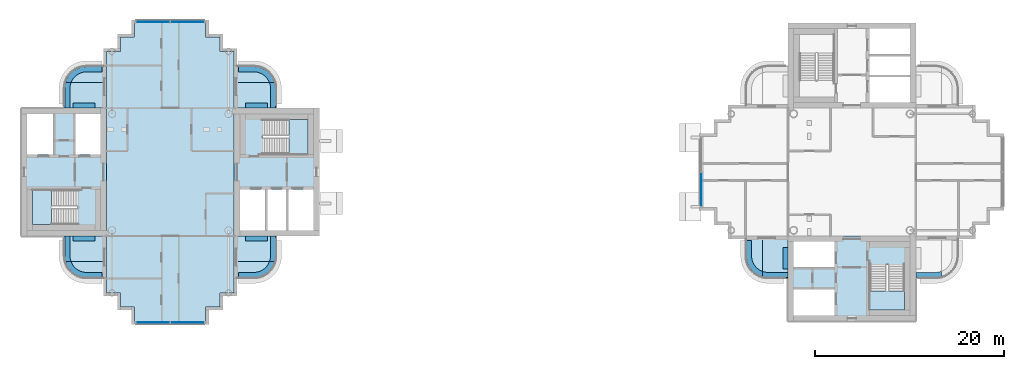
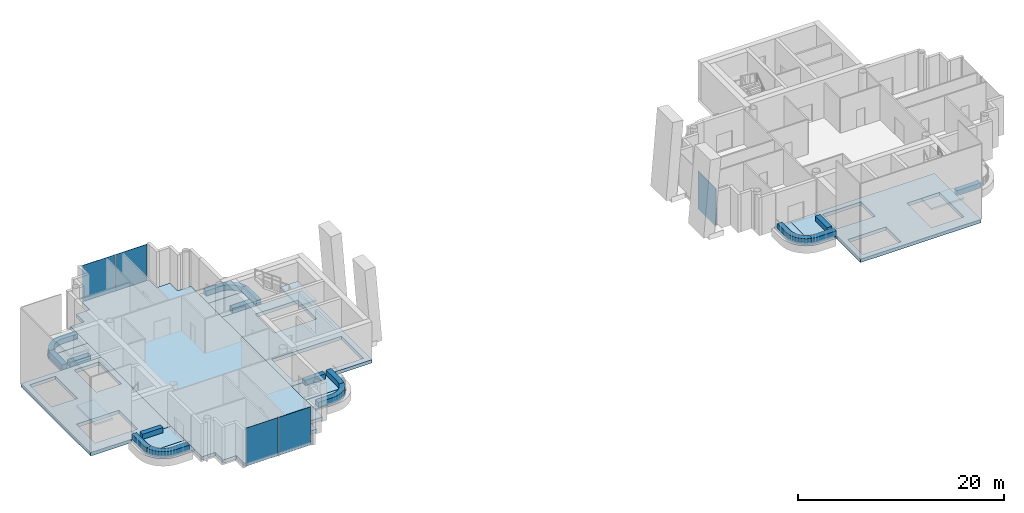
# One storey, part 5 of 19: 33 slabs, 5 plates, 6 elements without a shape of their own.
"""IFC4 building model written with IfcOpenShell, lengths in metres."""

from ifc_helpers import new_model, si_unit, direction, frame, origin, origin_2d, place, context, subcontext, project, spatial, polyline, rectangle, outline, extrude, material, layer, layer_set, type_object, element, aggregate, save


model = new_model("IFC4")

# Units and contexts
model_context = context("Model", 3, precision=1e-05, world=origin(), true_north=direction((0.0, 1.0)))
body_context = subcontext(model_context, "Body", "Model", "MODEL_VIEW")
ifc_project = project(units=[si_unit("LENGTHUNIT", "METRE"), si_unit("AREAUNIT", "SQUARE_METRE"), si_unit("VOLUMEUNIT", "CUBIC_METRE"), si_unit("PLANEANGLEUNIT", "RADIAN"), si_unit("MASSUNIT", "GRAM", prefix="KILO")], contexts=[model_context])

# Site, building, storey
site_placement = place(None, origin())
site = spatial("IfcSite", under=ifc_project, at=site_placement, CompositionType="ELEMENT")
building_placement = place(site_placement, origin())
building = spatial("IfcBuilding", under=site, at=building_placement, Name="Ipe Terrace Towers", CompositionType="ELEMENT")
storey_placement = place(building_placement, frame((0.0, 0.0, 237.89990234375)))
storey = spatial("IfcBuildingStorey", under=building, at=storey_placement, Name="L66", CompositionType="ELEMENT", Elevation=237.89990234375)

# Slabs
ifc_material_1 = material(Name="Concrete C30/37", Category="concrete")
ifc_layer_1 = layer(ifc_material_1, 0.199951171875)
ifc_layer_set_1 = layer_set([ifc_layer_1], Name="BALCONY SLAB 200")
slab_type_1 = type_object("IfcSlabType", Name="BALCONY SLAB 200", PredefinedType="FLOOR", material=ifc_layer_set_1)
slab_1_placement = place(storey_placement, frame((0.0, 0.0, -0.219970703125)))
element("IfcSlab", 1, at=slab_1_placement, inside=storey, type_object=slab_type_1, Name="balcony slab", PredefinedType="FLOOR", context=body_context, shape_type="SweptSolid", body=[
    extrude(outline(polyline([(-47.22900390625, -9.1630859375), (-47.172119140625, -9.449951171875), (-42.75, -9.449951171875), (-42.75, -6.75), (-47.25, -6.75), (-47.25, -8.85009765625), (-47.22900390625, -9.1630859375)])), origin(), (0.0, 0.0, 1.0), 0.199951171875),
])
slab_2_placement = place(storey_placement, frame((0.0, 0.0, -0.219970703125)))
element("IfcSlab", 2, at=slab_2_placement, inside=storey, type_object=slab_type_1, Name="balcony slab", PredefinedType="FLOOR", context=body_context, shape_type="SweptSolid", body=[
    extrude(outline(polyline([(-42.75, -11.25), (-42.75, -9.449951171875), (-47.172119140625, -9.449951171875), (-47.16796875, -9.470947265625), (-47.06689453125, -9.76806640625), (-46.927978515625, -10.050048828125), (-46.75390625, -10.31103515625), (-46.547119140625, -10.547119140625), (-46.31103515625, -10.75390625), (-46.050048828125, -10.927978515625), (-45.76806640625, -11.06689453125), (-45.470947265625, -11.16796875), (-45.1630859375, -11.22900390625), (-44.85009765625, -11.25), (-42.75, -11.25)])), origin(), (0.0, 0.0, 1.0), 0.199951171875),
])
slab_3_placement = place(storey_placement, frame((0.0, 0.0, -0.219970703125)))
element("IfcSlab", 3, at=slab_3_placement, inside=storey, type_object=slab_type_1, Name="balcony slab", PredefinedType="FLOOR", context=body_context, shape_type="SweptSolid", body=[
    extrude(outline(polyline([(-47.22900390625, 9.1630859375), (-47.25, 8.85009765625), (-47.25, 6.75), (-42.75, 6.75), (-42.75, 9.449951171875), (-47.172119140625, 9.449951171875), (-47.22900390625, 9.1630859375)])), origin(), (0.0, 0.0, 1.0), 0.199951171875),
])
slab_4_placement = place(storey_placement, frame((0.0, 0.0, -0.219970703125)))
element("IfcSlab", 4, at=slab_4_placement, inside=storey, type_object=slab_type_1, Name="balcony slab", PredefinedType="FLOOR", context=body_context, shape_type="SweptSolid", body=[
    extrude(outline(polyline([(-42.75, 11.25), (-44.85009765625, 11.25), (-45.1630859375, 11.22900390625), (-45.470947265625, 11.16796875), (-45.76806640625, 11.06689453125), (-46.050048828125, 10.927978515625), (-46.31103515625, 10.75390625), (-46.547119140625, 10.547119140625), (-46.75390625, 10.31103515625), (-46.927978515625, 10.050048828125), (-47.06689453125, 9.76806640625), (-47.16796875, 9.470947265625), (-47.172119140625, 9.449951171875), (-42.75, 9.449951171875), (-42.75, 11.25)])), origin(), (0.0, 0.0, 1.0), 0.199951171875),
])
slab_5_placement = place(storey_placement, frame((0.0, 0.0, -0.219970703125)))
element("IfcSlab", 5, at=slab_5_placement, inside=storey, type_object=slab_type_1, Name="balcony slab", PredefinedType="FLOOR", context=body_context, shape_type="SweptSolid", body=[
    extrude(outline(polyline([(-24.77099609375, -9.1630859375), (-24.75, -8.85009765625), (-24.75, -6.75), (-29.25, -6.75), (-29.25, -9.449951171875), (-24.827880859375, -9.449951171875), (-24.77099609375, -9.1630859375)])), origin(), (0.0, 0.0, 1.0), 0.199951171875),
])
slab_6_placement = place(storey_placement, frame((0.0, 0.0, -0.219970703125)))
element("IfcSlab", 6, at=slab_6_placement, inside=storey, type_object=slab_type_1, Name="balcony slab", PredefinedType="FLOOR", context=body_context, shape_type="SweptSolid", body=[
    extrude(outline(polyline([(-29.25, -11.25), (-27.14990234375, -11.25), (-26.8369140625, -11.22900390625), (-26.529052734375, -11.16796875), (-26.23193359375, -11.06689453125), (-25.949951171875, -10.927978515625), (-25.68896484375, -10.75390625), (-25.452880859375, -10.547119140625), (-25.24609375, -10.31103515625), (-25.072021484375, -10.050048828125), (-24.93310546875, -9.76806640625), (-24.83203125, -9.470947265625), (-24.827880859375, -9.449951171875), (-29.25, -9.449951171875), (-29.25, -11.25)])), origin(), (0.0, 0.0, 1.0), 0.199951171875),
])
slab_7_placement = place(storey_placement, frame((0.0, 0.0, -0.219970703125)))
element("IfcSlab", 7, at=slab_7_placement, inside=storey, type_object=slab_type_1, Name="balcony slab", PredefinedType="FLOOR", context=body_context, shape_type="SweptSolid", body=[
    extrude(outline(polyline([(-24.77099609375, 9.1630859375), (-24.827880859375, 9.449951171875), (-29.25, 9.449951171875), (-29.25, 6.75), (-24.75, 6.75), (-24.75, 8.85009765625), (-24.77099609375, 9.1630859375)])), origin(), (0.0, 0.0, 1.0), 0.199951171875),
])
slab_8_placement = place(storey_placement, frame((0.0, 0.0, -0.219970703125)))
element("IfcSlab", 8, at=slab_8_placement, inside=storey, type_object=slab_type_1, Name="balcony slab", PredefinedType="FLOOR", context=body_context, shape_type="SweptSolid", body=[
    extrude(outline(polyline([(-29.25, 11.25), (-29.25, 9.449951171875), (-24.827880859375, 9.449951171875), (-24.83203125, 9.470947265625), (-24.93310546875, 9.76806640625), (-25.072021484375, 10.050048828125), (-25.24609375, 10.31103515625), (-25.452880859375, 10.547119140625), (-25.68896484375, 10.75390625), (-25.949951171875, 10.927978515625), (-26.23193359375, 11.06689453125), (-26.529052734375, 11.16796875), (-26.8369140625, 11.22900390625), (-27.14990234375, 11.25), (-29.25, 11.25)])), origin(), (0.0, 0.0, 1.0), 0.199951171875),
])
slab_9_placement = place(storey_placement, frame((0.0, 0.0, -0.219970703125)))
element("IfcSlab", 9, at=slab_9_placement, inside=storey, type_object=slab_type_1, Name="balcony slab", PredefinedType="FLOOR", context=body_context, shape_type="SweptSolid", body=[
    extrude(outline(polyline([(26.8369140625, -11.22900390625), (27.14990234375, -11.25), (29.25, -11.25), (29.25, -6.75), (26.550048828125, -6.75), (26.550048828125, -11.172119140625), (26.8369140625, -11.22900390625)])), origin(), (0.0, 0.0, 1.0), 0.199951171875),
])
slab_10_placement = place(storey_placement, frame((0.0, 0.0, -0.219970703125)))
element("IfcSlab", 10, at=slab_10_placement, inside=storey, type_object=slab_type_1, Name="balcony slab", PredefinedType="FLOOR", context=body_context, shape_type="SweptSolid", body=[
    extrude(outline(polyline([(24.75, -6.75), (24.75, -8.85009765625), (24.77099609375, -9.1630859375), (24.83203125, -9.470947265625), (24.93310546875, -9.76806640625), (25.072021484375, -10.050048828125), (25.24609375, -10.31103515625), (25.452880859375, -10.547119140625), (25.68896484375, -10.75390625), (25.949951171875, -10.927978515625), (26.23193359375, -11.06689453125), (26.529052734375, -11.16796875), (26.550048828125, -11.172119140625), (26.550048828125, -6.75), (24.75, -6.75)])), origin(), (0.0, 0.0, 1.0), 0.199951171875),
])
ifc_material_2 = material(Name="Concrete C30/37", Category="concrete")
ifc_layer_2 = layer(ifc_material_2, 0.39990234375)
ifc_layer_set_2 = layer_set([ifc_layer_2], Name="CORE FLOOR SLAB 400 C30-37")
slab_type_2 = type_object("IfcSlabType", Name="CORE FLOOR SLAB 400 C30-37", PredefinedType="FLOOR", material=ifc_layer_set_2)
slab_11_placement = place(storey_placement, frame((0.0, 0.0, -0.39990234375)))
element("IfcSlab", 11, at=slab_11_placement, inside=storey, type_object=slab_type_2, Name="Core floor T1-C1", PredefinedType="FLOOR", context=body_context, shape_type="SweptSolid", body=[
    extrude(outline(polyline([(-29.25, -6.75), (-29.25, 6.75), (-20.25, 6.75), (-20.25, -6.75), (-29.25, -6.75)]), holes=[polyline([(-28.64990234375, -6.14990234375), (-20.85009765625, -6.14990234375), (-20.85009765625, -1.85009765625), (-28.64990234375, -1.85009765625), (-28.64990234375, -6.14990234375)]), polyline([(-26.199951171875, 5.550048828125), (-26.199951171875, 1.89990234375), (-21.449951171875, 1.89990234375), (-21.449951171875, 5.550048828125), (-26.199951171875, 5.550048828125)])]), origin(), (0.0, 0.0, 1.0), 0.39990234375),
])
slab_12_placement = place(storey_placement, frame((0.0, 0.0, -0.39990234375)))
element("IfcSlab", 12, at=slab_12_placement, inside=storey, type_object=slab_type_2, Name="Core floor T1-C2", PredefinedType="FLOOR", context=body_context, shape_type="SweptSolid", body=[
    extrude(outline(polyline([(-51.75, -6.75), (-51.75, 6.75), (-42.75, 6.75), (-42.75, -6.75), (-51.75, -6.75)]), holes=[polyline([(-45.800048828125, -1.89990234375), (-50.550048828125, -1.89990234375), (-50.550048828125, -5.550048828125), (-45.800048828125, -5.550048828125), (-45.800048828125, -1.89990234375)]), polyline([(-48.25, 1.85009765625), (-48.25, 6.14990234375), (-51.14990234375, 6.14990234375), (-51.14990234375, 1.85009765625), (-48.25, 1.85009765625)]), polyline([(-43.35009765625, 1.85009765625), (-43.35009765625, 6.14990234375), (-46.14990234375, 6.14990234375), (-46.14990234375, 1.85009765625), (-43.35009765625, 1.85009765625)])]), origin(), (0.0, 0.0, 1.0), 0.39990234375),
])
slab_13_placement = place(storey_placement, frame((0.0, 0.0, -0.39990234375)))
element("IfcSlab", 13, at=slab_13_placement, inside=storey, type_object=slab_type_2, Name="Core floor T2-C2", PredefinedType="FLOOR", context=body_context, shape_type="SweptSolid", body=[
    extrude(outline(polyline([(29.25, -15.75), (29.25, -6.75), (42.75, -6.75), (42.75, -15.75), (29.25, -15.75)]), holes=[polyline([(29.85009765625, -12.25), (29.85009765625, -15.14990234375), (34.14990234375, -15.14990234375), (34.14990234375, -12.25), (29.85009765625, -12.25)]), polyline([(41.550048828125, -9.800048828125), (37.89990234375, -9.800048828125), (37.89990234375, -14.550048828125), (41.550048828125, -14.550048828125), (41.550048828125, -9.800048828125)]), polyline([(34.14990234375, -7.35009765625), (29.85009765625, -7.35009765625), (29.85009765625, -10.14990234375), (34.14990234375, -10.14990234375), (34.14990234375, -7.35009765625)])]), origin(), (0.0, 0.0, 1.0), 0.39990234375),
])

# Stair, slab
ifc_material_3 = material(Name="Concrete C30/37", Category="concrete")
stair_type = type_object("IfcStairType", Name="Protected exit stair", PredefinedType="HALF_TURN_STAIR", material=ifc_material_3)
stair_1_placement = place(storey_placement, origin())
stair_1 = element("IfcStair", 14, at=stair_1_placement, inside=storey, type_object=stair_type, Name="L66 Exit stair T1-C1", PredefinedType="HALF_TURN_STAIR")
ifc_material_4 = material(Name="Concrete C30/37", Category="concrete")
ifc_layer_3 = layer(ifc_material_4, 0.199951171875)
ifc_layer_set_3 = layer_set([ifc_layer_3], Name="Exit stair landing 200")
slab_type_3 = type_object("IfcSlabType", Name="Exit stair landing 200", PredefinedType="LANDING", material=ifc_layer_set_3)
slab_14_placement = place(storey_placement, frame((0.0, 0.0, 2.050048828125)))
slab_14 = element("IfcSlab", 15, at=slab_14_placement, type_object=slab_type_3, Name="T1-ST1 landing 1", PredefinedType="LANDING", context=body_context, shape_type="SweptSolid", body=[
    extrude(outline(polyline([(-23.43994140625, 1.89990234375), (-21.449951171875, 1.89990234375), (-21.449951171875, 5.550048828125), (-23.43994140625, 5.550048828125), (-23.43994140625, 1.89990234375)])), origin(), (0.0, 0.0, 1.0), 0.199951171875),
])
aggregate(stair_1, [slab_14])

stair_2_placement = place(storey_placement, origin())
stair_2 = element("IfcStair", 16, at=stair_2_placement, inside=storey, type_object=stair_type, Name="L66 Exit stair T1-C2", PredefinedType="HALF_TURN_STAIR")
slab_15_placement = place(storey_placement, frame((0.0, 0.0, 2.050048828125)))
slab_15 = element("IfcSlab", 17, at=slab_15_placement, type_object=slab_type_3, Name="T1-ST2 landing 1", PredefinedType="LANDING", context=body_context, shape_type="SweptSolid", body=[
    extrude(outline(polyline([(-48.56005859375, -1.89990234375), (-50.550048828125, -1.89990234375), (-50.550048828125, -5.550048828125), (-48.56005859375, -5.550048828125), (-48.56005859375, -1.89990234375)])), origin(), (0.0, 0.0, 1.0), 0.199951171875),
])
aggregate(stair_2, [slab_15])

stair_3_placement = place(storey_placement, origin())
stair_3 = element("IfcStair", 18, at=stair_3_placement, inside=storey, type_object=stair_type, Name="L66 Exit stair T2-C2", PredefinedType="HALF_TURN_STAIR")
slab_16_placement = place(storey_placement, frame((0.0, 0.0, 2.050048828125)))
slab_16 = element("IfcSlab", 19, at=slab_16_placement, type_object=slab_type_3, Name="T2-ST2 landing 1", PredefinedType="LANDING", context=body_context, shape_type="SweptSolid", body=[
    extrude(outline(polyline([(37.89990234375, -12.56005859375), (37.89990234375, -14.550048828125), (41.550048828125, -14.550048828125), (41.550048828125, -12.56005859375), (37.89990234375, -12.56005859375)])), origin(), (0.0, 0.0, 1.0), 0.199951171875),
])
aggregate(stair_3, [slab_16])

# Slab
ifc_material_5 = material(Name="Concrete C40/50", Category="concrete")
ifc_layer_4 = layer(ifc_material_5, 0.39990234375)
ifc_layer_set_4 = layer_set([ifc_layer_4], Name="FLAT PLATE SLAB 400 C40-50")
slab_type_4 = type_object("IfcSlabType", Name="FLAT PLATE SLAB 400 C40-50", PredefinedType="FLOOR", material=ifc_layer_set_4)
slab_17_placement = place(storey_placement, frame((0.0, 0.0, -0.39990234375)))
element("IfcSlab", 20, at=slab_17_placement, inside=storey, type_object=slab_type_4, Name="Slab T1-FS-Z41", PredefinedType="FLOOR", context=body_context, shape_type="SweptSolid", body=[
    extrude(outline(polyline([(-30.75, -12.75), (-30.75, -14.25), (-32.25, -14.25), (-32.25, -15.75), (-39.75, -15.75), (-39.75, -14.25), (-41.25, -14.25), (-41.25, -12.75), (-42.75, -12.75), (-42.75, -6.75), (-42.75, 6.75), (-42.75, 12.75), (-41.25, 12.75), (-41.25, 14.25), (-39.75, 14.25), (-39.75, 15.75), (-32.25, 15.75), (-32.25, 14.25), (-30.75, 14.25), (-30.75, 12.75), (-29.25, 12.75), (-29.25, 6.75), (-29.25, -6.75), (-29.25, -12.75), (-30.75, -12.75)])), origin(), (0.0, 0.0, 1.0), 0.39990234375),
])

# Curtain wall, plates
ifc_material_6 = material(Name="Aluminium alloy 6063-T6", Category="aluminium")
ifc_layer_5 = layer(ifc_material_6, 0.320068359375)
ifc_layer_set_5 = layer_set([ifc_layer_5], Name="LANTERN CURTAIN WALL")
curtain_wall_type = type_object("IfcCurtainWallType", Name="LANTERN CURTAIN WALL", PredefinedType="NOTDEFINED", material=ifc_layer_set_5)
curtain_wall_1_placement = place(storey_placement, origin())
curtain_wall_1 = element("IfcCurtainWall", 21, at=curtain_wall_1_placement, inside=storey, type_object=curtain_wall_type, Name="T1-CW-L66-08a curtain wall", PredefinedType="NOTDEFINED")
ifc_material_7 = material(Name="Glass, clear laminated", Category="glass")
ifc_layer_6 = layer(ifc_material_7, 0.0400390625)
ifc_layer_set_6 = layer_set([ifc_layer_6], Name="LANTERN GLASS PANEL 40")
plate_type = type_object("IfcPlateType", Name="LANTERN GLASS PANEL 40", PredefinedType="CURTAIN_PANEL", material=ifc_layer_set_6)
plate_1_placement = place(storey_placement, frame((-37.824951171875, -15.875, -0.2998046875), z_axis=(0.0, 0.0, 1.0), x_axis=(1.0, 0.0, 0.0)))
plate_1 = element("IfcPlate", 22, at=plate_1_placement, type_object=plate_type, Name="T1-CW-L66-08a panel 1", PredefinedType="CURTAIN_PANEL", context=body_context, shape_type="SweptSolid", body=[
    extrude(rectangle(XDim=3.570068359375, YDim=0.0400390625, at=origin_2d()), origin(), (0.0, 0.0, 1.0), 4.5),
])
plate_2_placement = place(storey_placement, frame((-34.175048828125, -15.875, -0.2998046875), z_axis=(0.0, 0.0, 1.0), x_axis=(1.0, 0.0, 0.0)))
plate_2 = element("IfcPlate", 23, at=plate_2_placement, type_object=plate_type, Name="T1-CW-L66-08a panel 2", PredefinedType="CURTAIN_PANEL", context=body_context, shape_type="SweptSolid", body=[
    extrude(rectangle(XDim=3.570068359375, YDim=0.0400390625, at=origin_2d()), origin(), (0.0, 0.0, 1.0), 4.5),
])
aggregate(curtain_wall_1, [plate_1, plate_2])

curtain_wall_2_placement = place(storey_placement, origin())
curtain_wall_2 = element("IfcCurtainWall", 24, at=curtain_wall_2_placement, inside=storey, type_object=curtain_wall_type, Name="T1-CW-L66-26a curtain wall", PredefinedType="NOTDEFINED")
plate_3_placement = place(storey_placement, frame((-34.175048828125, 15.875, -0.2998046875), z_axis=(0.0, 0.0, 1.0), x_axis=(-1.0, 0.0, 0.0)))
plate_3 = element("IfcPlate", 25, at=plate_3_placement, type_object=plate_type, Name="T1-CW-L66-26a panel 1", PredefinedType="CURTAIN_PANEL", context=body_context, shape_type="SweptSolid", body=[
    extrude(rectangle(XDim=3.570068359375, YDim=0.0400390625, at=origin_2d()), origin(), (0.0, 0.0, 1.0), 4.5),
])
plate_4_placement = place(storey_placement, frame((-37.824951171875, 15.875, -0.2998046875), z_axis=(0.0, 0.0, 1.0), x_axis=(-1.0, 0.0, 0.0)))
plate_4 = element("IfcPlate", 26, at=plate_4_placement, type_object=plate_type, Name="T1-CW-L66-26a panel 2", PredefinedType="CURTAIN_PANEL", context=body_context, shape_type="SweptSolid", body=[
    extrude(rectangle(XDim=3.570068359375, YDim=0.0400390625, at=origin_2d()), origin(), (0.0, 0.0, 1.0), 4.5),
])
aggregate(curtain_wall_2, [plate_3, plate_4])

# Curtain wall, plate
curtain_wall_3_placement = place(storey_placement, origin())
curtain_wall_3 = element("IfcCurtainWall", 27, at=curtain_wall_3_placement, inside=storey, type_object=curtain_wall_type, Name="T2-CW-L66-26a curtain wall", PredefinedType="NOTDEFINED")
plate_5_placement = place(storey_placement, frame((20.125, -1.824951171875, -0.2998046875), z_axis=(0.0, 0.0, 1.0), x_axis=(0.0, -1.0, 0.0)))
plate_5 = element("IfcPlate", 28, at=plate_5_placement, type_object=plate_type, Name="T2-CW-L66-26a panel 2", PredefinedType="CURTAIN_PANEL", context=body_context, shape_type="SweptSolid", body=[
    extrude(rectangle(XDim=3.570068359375, YDim=0.0400390625, at=origin_2d()), origin(), (0.0, 0.0, 1.0), 4.5),
])
aggregate(curtain_wall_3, [plate_5])

# Slabs
ifc_material_8 = material(Name="Concrete C30/37", Category="concrete")
ifc_layer_7 = layer(ifc_material_8, 0.60009765625)
ifc_layer_set_7 = layer_set([ifc_layer_7], Name="PLANTER TROUGH 550 x 600")
slab_type_5 = type_object("IfcSlabType", Name="PLANTER TROUGH 550 x 600", PredefinedType="USERDEFINED", material=ifc_layer_set_7)
slab_18_placement = place(storey_placement, frame((0.0, 0.0, -0.02001953125)))
element("IfcSlab", 29, at=slab_18_placement, inside=storey, type_object=slab_type_5, Name="planter", ObjectType="PLANTER", PredefinedType="USERDEFINED", context=body_context, shape_type="SweptSolid", body=[
    extrude(outline(polyline([(-46.529052734375, -9.300048828125), (-46.573974609375, -9.076904296875), (-46.590087890625, -8.827880859375), (-46.590087890625, -6.75), (-47.139892578125, -6.75), (-47.139892578125, -8.8369140625), (-47.138916015625, -8.85498046875), (-47.12109375, -9.131103515625), (-47.116943359375, -9.1669921875), (-47.06494140625, -9.425048828125), (-47.05908203125, -9.449951171875), (-46.47802734375, -9.449951171875), (-46.529052734375, -9.300048828125)])), origin(), (0.0, 0.0, 1.0), 0.60009765625),
])
slab_19_placement = place(storey_placement, frame((0.0, 0.0, -0.02001953125)))
element("IfcSlab", 30, at=slab_19_placement, inside=storey, type_object=slab_type_5, Name="planter", ObjectType="PLANTER", PredefinedType="USERDEFINED", context=body_context, shape_type="SweptSolid", body=[
    extrude(outline(polyline([(-46.4560546875, -9.514892578125), (-46.47802734375, -9.449951171875), (-47.05908203125, -9.449951171875), (-47.055908203125, -9.4599609375), (-46.970947265625, -9.708984375), (-46.95703125, -9.741943359375), (-46.841064453125, -9.97900390625), (-46.822998046875, -10.010009765625), (-46.677001953125, -10.22900390625), (-46.655029296875, -10.257080078125), (-46.48095703125, -10.4560546875), (-46.4560546875, -10.48095703125), (-46.257080078125, -10.655029296875), (-46.22900390625, -10.677001953125), (-46.010009765625, -10.822998046875), (-45.97900390625, -10.841064453125), (-45.741943359375, -10.95703125), (-45.708984375, -10.970947265625), (-45.4599609375, -11.055908203125), (-45.425048828125, -11.06494140625), (-45.1669921875, -11.116943359375), (-45.131103515625, -11.12109375), (-44.85498046875, -11.138916015625), (-44.8369140625, -11.139892578125), (-43.199951171875, -11.139892578125), (-43.199951171875, -10.590087890625), (-44.827880859375, -10.590087890625), (-45.076904296875, -10.573974609375), (-45.300048828125, -10.529052734375), (-45.514892578125, -10.4560546875), (-45.718994140625, -10.35595703125), (-45.907958984375, -10.22900390625), (-46.0791015625, -10.0791015625), (-46.22900390625, -9.907958984375), (-46.35595703125, -9.718994140625), (-46.4560546875, -9.514892578125)])), origin(), (0.0, 0.0, 1.0), 0.60009765625),
])
slab_20_placement = place(storey_placement, frame((0.0, 0.0, -0.02001953125)))
element("IfcSlab", 31, at=slab_20_placement, inside=storey, type_object=slab_type_5, Name="planter", ObjectType="PLANTER", PredefinedType="USERDEFINED", context=body_context, shape_type="SweptSolid", body=[
    extrude(outline(polyline([(-43.949951171875, -6.75), (-46.25, -6.75), (-46.25, -7.300048828125), (-43.949951171875, -7.300048828125), (-43.949951171875, -6.75)])), origin(), (0.0, 0.0, 1.0), 0.60009765625),
])
slab_21_placement = place(storey_placement, frame((0.0, 0.0, -0.02001953125)))
element("IfcSlab", 32, at=slab_21_placement, inside=storey, type_object=slab_type_5, Name="planter", ObjectType="PLANTER", PredefinedType="USERDEFINED", context=body_context, shape_type="SweptSolid", body=[
    extrude(outline(polyline([(-46.529052734375, 9.300048828125), (-46.47802734375, 9.449951171875), (-47.05908203125, 9.449951171875), (-47.06494140625, 9.425048828125), (-47.116943359375, 9.1669921875), (-47.12109375, 9.131103515625), (-47.138916015625, 8.85498046875), (-47.139892578125, 8.8369140625), (-47.139892578125, 6.75), (-46.590087890625, 6.75), (-46.590087890625, 8.827880859375), (-46.573974609375, 9.076904296875), (-46.529052734375, 9.300048828125)])), origin(), (0.0, 0.0, 1.0), 0.60009765625),
])
slab_22_placement = place(storey_placement, frame((0.0, 0.0, -0.02001953125)))
element("IfcSlab", 33, at=slab_22_placement, inside=storey, type_object=slab_type_5, Name="planter", ObjectType="PLANTER", PredefinedType="USERDEFINED", context=body_context, shape_type="SweptSolid", body=[
    extrude(outline(polyline([(-46.4560546875, 9.514892578125), (-46.35595703125, 9.718994140625), (-46.22900390625, 9.907958984375), (-46.0791015625, 10.0791015625), (-45.907958984375, 10.22900390625), (-45.718994140625, 10.35595703125), (-45.514892578125, 10.4560546875), (-45.300048828125, 10.529052734375), (-45.076904296875, 10.573974609375), (-44.827880859375, 10.590087890625), (-43.199951171875, 10.590087890625), (-43.199951171875, 11.139892578125), (-44.8369140625, 11.139892578125), (-44.85498046875, 11.138916015625), (-45.131103515625, 11.12109375), (-45.1669921875, 11.116943359375), (-45.425048828125, 11.06494140625), (-45.4599609375, 11.055908203125), (-45.708984375, 10.970947265625), (-45.741943359375, 10.95703125), (-45.97900390625, 10.841064453125), (-46.010009765625, 10.822998046875), (-46.22900390625, 10.677001953125), (-46.257080078125, 10.655029296875), (-46.4560546875, 10.48095703125), (-46.48095703125, 10.4560546875), (-46.655029296875, 10.257080078125), (-46.677001953125, 10.22900390625), (-46.822998046875, 10.010009765625), (-46.841064453125, 9.97900390625), (-46.95703125, 9.741943359375), (-46.970947265625, 9.708984375), (-47.055908203125, 9.4599609375), (-47.05908203125, 9.449951171875), (-46.47802734375, 9.449951171875), (-46.4560546875, 9.514892578125)])), origin(), (0.0, 0.0, 1.0), 0.60009765625),
])
slab_23_placement = place(storey_placement, frame((0.0, 0.0, -0.02001953125)))
element("IfcSlab", 34, at=slab_23_placement, inside=storey, type_object=slab_type_5, Name="planter", ObjectType="PLANTER", PredefinedType="USERDEFINED", context=body_context, shape_type="SweptSolid", body=[
    extrude(outline(polyline([(-43.949951171875, 6.75), (-43.949951171875, 7.300048828125), (-46.25, 7.300048828125), (-46.25, 6.75), (-43.949951171875, 6.75)])), origin(), (0.0, 0.0, 1.0), 0.60009765625),
])
slab_24_placement = place(storey_placement, frame((0.0, 0.0, -0.02001953125)))
element("IfcSlab", 35, at=slab_24_placement, inside=storey, type_object=slab_type_5, Name="planter", ObjectType="PLANTER", PredefinedType="USERDEFINED", context=body_context, shape_type="SweptSolid", body=[
    extrude(outline(polyline([(-25.470947265625, -9.300048828125), (-25.52197265625, -9.449951171875), (-24.94091796875, -9.449951171875), (-24.93505859375, -9.425048828125), (-24.883056640625, -9.1669921875), (-24.87890625, -9.131103515625), (-24.861083984375, -8.85498046875), (-24.860107421875, -8.8369140625), (-24.860107421875, -6.75), (-25.409912109375, -6.75), (-25.409912109375, -8.827880859375), (-25.426025390625, -9.076904296875), (-25.470947265625, -9.300048828125)])), origin(), (0.0, 0.0, 1.0), 0.60009765625),
])
slab_25_placement = place(storey_placement, frame((0.0, 0.0, -0.02001953125)))
element("IfcSlab", 36, at=slab_25_placement, inside=storey, type_object=slab_type_5, Name="planter", ObjectType="PLANTER", PredefinedType="USERDEFINED", context=body_context, shape_type="SweptSolid", body=[
    extrude(outline(polyline([(-25.5439453125, -9.514892578125), (-25.64404296875, -9.718994140625), (-25.77099609375, -9.907958984375), (-25.9208984375, -10.0791015625), (-26.092041015625, -10.22900390625), (-26.281005859375, -10.35595703125), (-26.485107421875, -10.4560546875), (-26.699951171875, -10.529052734375), (-26.923095703125, -10.573974609375), (-27.172119140625, -10.590087890625), (-28.800048828125, -10.590087890625), (-28.800048828125, -11.139892578125), (-27.1630859375, -11.139892578125), (-27.14501953125, -11.138916015625), (-26.868896484375, -11.12109375), (-26.8330078125, -11.116943359375), (-26.574951171875, -11.06494140625), (-26.5400390625, -11.055908203125), (-26.291015625, -10.970947265625), (-26.258056640625, -10.95703125), (-26.02099609375, -10.841064453125), (-25.989990234375, -10.822998046875), (-25.77099609375, -10.677001953125), (-25.742919921875, -10.655029296875), (-25.5439453125, -10.48095703125), (-25.51904296875, -10.4560546875), (-25.344970703125, -10.257080078125), (-25.322998046875, -10.22900390625), (-25.177001953125, -10.010009765625), (-25.158935546875, -9.97900390625), (-25.04296875, -9.741943359375), (-25.029052734375, -9.708984375), (-24.944091796875, -9.4599609375), (-24.94091796875, -9.449951171875), (-25.52197265625, -9.449951171875), (-25.5439453125, -9.514892578125)])), origin(), (0.0, 0.0, 1.0), 0.60009765625),
])
slab_26_placement = place(storey_placement, frame((0.0, 0.0, -0.02001953125)))
element("IfcSlab", 37, at=slab_26_placement, inside=storey, type_object=slab_type_5, Name="planter", ObjectType="PLANTER", PredefinedType="USERDEFINED", context=body_context, shape_type="SweptSolid", body=[
    extrude(outline(polyline([(-28.050048828125, -6.75), (-28.050048828125, -7.300048828125), (-25.75, -7.300048828125), (-25.75, -6.75), (-28.050048828125, -6.75)])), origin(), (0.0, 0.0, 1.0), 0.60009765625),
])
slab_27_placement = place(storey_placement, frame((0.0, 0.0, -0.02001953125)))
element("IfcSlab", 38, at=slab_27_placement, inside=storey, type_object=slab_type_5, Name="planter", ObjectType="PLANTER", PredefinedType="USERDEFINED", context=body_context, shape_type="SweptSolid", body=[
    extrude(outline(polyline([(-25.470947265625, 9.300048828125), (-25.426025390625, 9.076904296875), (-25.409912109375, 8.827880859375), (-25.409912109375, 6.75), (-24.860107421875, 6.75), (-24.860107421875, 8.8369140625), (-24.861083984375, 8.85498046875), (-24.87890625, 9.131103515625), (-24.883056640625, 9.1669921875), (-24.93505859375, 9.425048828125), (-24.94091796875, 9.449951171875), (-25.52197265625, 9.449951171875), (-25.470947265625, 9.300048828125)])), origin(), (0.0, 0.0, 1.0), 0.60009765625),
])
slab_28_placement = place(storey_placement, frame((0.0, 0.0, -0.02001953125)))
element("IfcSlab", 39, at=slab_28_placement, inside=storey, type_object=slab_type_5, Name="planter", ObjectType="PLANTER", PredefinedType="USERDEFINED", context=body_context, shape_type="SweptSolid", body=[
    extrude(outline(polyline([(-25.5439453125, 9.514892578125), (-25.52197265625, 9.449951171875), (-24.94091796875, 9.449951171875), (-24.944091796875, 9.4599609375), (-25.029052734375, 9.708984375), (-25.04296875, 9.741943359375), (-25.158935546875, 9.97900390625), (-25.177001953125, 10.010009765625), (-25.322998046875, 10.22900390625), (-25.344970703125, 10.257080078125), (-25.51904296875, 10.4560546875), (-25.5439453125, 10.48095703125), (-25.742919921875, 10.655029296875), (-25.77099609375, 10.677001953125), (-25.989990234375, 10.822998046875), (-26.02099609375, 10.841064453125), (-26.258056640625, 10.95703125), (-26.291015625, 10.970947265625), (-26.5400390625, 11.055908203125), (-26.574951171875, 11.06494140625), (-26.8330078125, 11.116943359375), (-26.868896484375, 11.12109375), (-27.14501953125, 11.138916015625), (-27.1630859375, 11.139892578125), (-28.800048828125, 11.139892578125), (-28.800048828125, 10.590087890625), (-27.172119140625, 10.590087890625), (-26.923095703125, 10.573974609375), (-26.699951171875, 10.529052734375), (-26.485107421875, 10.4560546875), (-26.281005859375, 10.35595703125), (-26.092041015625, 10.22900390625), (-25.9208984375, 10.0791015625), (-25.77099609375, 9.907958984375), (-25.64404296875, 9.718994140625), (-25.5439453125, 9.514892578125)])), origin(), (0.0, 0.0, 1.0), 0.60009765625),
])
slab_29_placement = place(storey_placement, frame((0.0, 0.0, -0.02001953125)))
element("IfcSlab", 40, at=slab_29_placement, inside=storey, type_object=slab_type_5, Name="planter", ObjectType="PLANTER", PredefinedType="USERDEFINED", context=body_context, shape_type="SweptSolid", body=[
    extrude(outline(polyline([(-28.050048828125, 6.75), (-25.75, 6.75), (-25.75, 7.300048828125), (-28.050048828125, 7.300048828125), (-28.050048828125, 6.75)])), origin(), (0.0, 0.0, 1.0), 0.60009765625),
])
slab_30_placement = place(storey_placement, frame((0.0, 0.0, -0.02001953125)))
element("IfcSlab", 41, at=slab_30_placement, inside=storey, type_object=slab_type_5, Name="planter", ObjectType="PLANTER", PredefinedType="USERDEFINED", context=body_context, shape_type="SweptSolid", body=[
    extrude(outline(polyline([(26.699951171875, -10.529052734375), (26.550048828125, -10.47802734375), (26.550048828125, -11.05908203125), (26.574951171875, -11.06494140625), (26.8330078125, -11.116943359375), (26.868896484375, -11.12109375), (27.14501953125, -11.138916015625), (27.1630859375, -11.139892578125), (29.25, -11.139892578125), (29.25, -10.590087890625), (27.172119140625, -10.590087890625), (26.923095703125, -10.573974609375), (26.699951171875, -10.529052734375)])), origin(), (0.0, 0.0, 1.0), 0.60009765625),
])
slab_31_placement = place(storey_placement, frame((0.0, 0.0, -0.02001953125)))
element("IfcSlab", 42, at=slab_31_placement, inside=storey, type_object=slab_type_5, Name="planter", ObjectType="PLANTER", PredefinedType="USERDEFINED", context=body_context, shape_type="SweptSolid", body=[
    extrude(outline(polyline([(26.485107421875, -10.4560546875), (26.281005859375, -10.35595703125), (26.092041015625, -10.22900390625), (25.9208984375, -10.0791015625), (25.77099609375, -9.907958984375), (25.64404296875, -9.718994140625), (25.5439453125, -9.514892578125), (25.470947265625, -9.300048828125), (25.426025390625, -9.076904296875), (25.409912109375, -8.827880859375), (25.409912109375, -7.199951171875), (24.860107421875, -7.199951171875), (24.860107421875, -8.8369140625), (24.861083984375, -8.85498046875), (24.87890625, -9.131103515625), (24.883056640625, -9.1669921875), (24.93505859375, -9.425048828125), (24.944091796875, -9.4599609375), (25.029052734375, -9.708984375), (25.04296875, -9.741943359375), (25.158935546875, -9.97900390625), (25.177001953125, -10.010009765625), (25.322998046875, -10.22900390625), (25.344970703125, -10.257080078125), (25.51904296875, -10.4560546875), (25.5439453125, -10.48095703125), (25.742919921875, -10.655029296875), (25.77099609375, -10.677001953125), (25.989990234375, -10.822998046875), (26.02099609375, -10.841064453125), (26.258056640625, -10.95703125), (26.291015625, -10.970947265625), (26.5400390625, -11.055908203125), (26.550048828125, -11.05908203125), (26.550048828125, -10.47802734375), (26.485107421875, -10.4560546875)])), origin(), (0.0, 0.0, 1.0), 0.60009765625),
])
slab_32_placement = place(storey_placement, frame((0.0, 0.0, -0.02001953125)))
element("IfcSlab", 43, at=slab_32_placement, inside=storey, type_object=slab_type_5, Name="planter", ObjectType="PLANTER", PredefinedType="USERDEFINED", context=body_context, shape_type="SweptSolid", body=[
    extrude(outline(polyline([(29.25, -7.949951171875), (28.699951171875, -7.949951171875), (28.699951171875, -10.25), (29.25, -10.25), (29.25, -7.949951171875)])), origin(), (0.0, 0.0, 1.0), 0.60009765625),
])
slab_33_placement = place(storey_placement, frame((0.0, 0.0, -0.02001953125)))
element("IfcSlab", 44, at=slab_33_placement, inside=storey, type_object=slab_type_5, Name="planter", ObjectType="PLANTER", PredefinedType="USERDEFINED", context=body_context, shape_type="SweptSolid", body=[
    extrude(outline(polyline([(45.300048828125, -10.529052734375), (45.076904296875, -10.573974609375), (44.827880859375, -10.590087890625), (42.75, -10.590087890625), (42.75, -11.139892578125), (44.8369140625, -11.139892578125), (44.85498046875, -11.138916015625), (45.131103515625, -11.12109375), (45.1669921875, -11.116943359375), (45.425048828125, -11.06494140625), (45.449951171875, -11.05908203125), (45.449951171875, -10.47802734375), (45.300048828125, -10.529052734375)])), origin(), (0.0, 0.0, 1.0), 0.60009765625),
])

save(model, "model.ifc")
